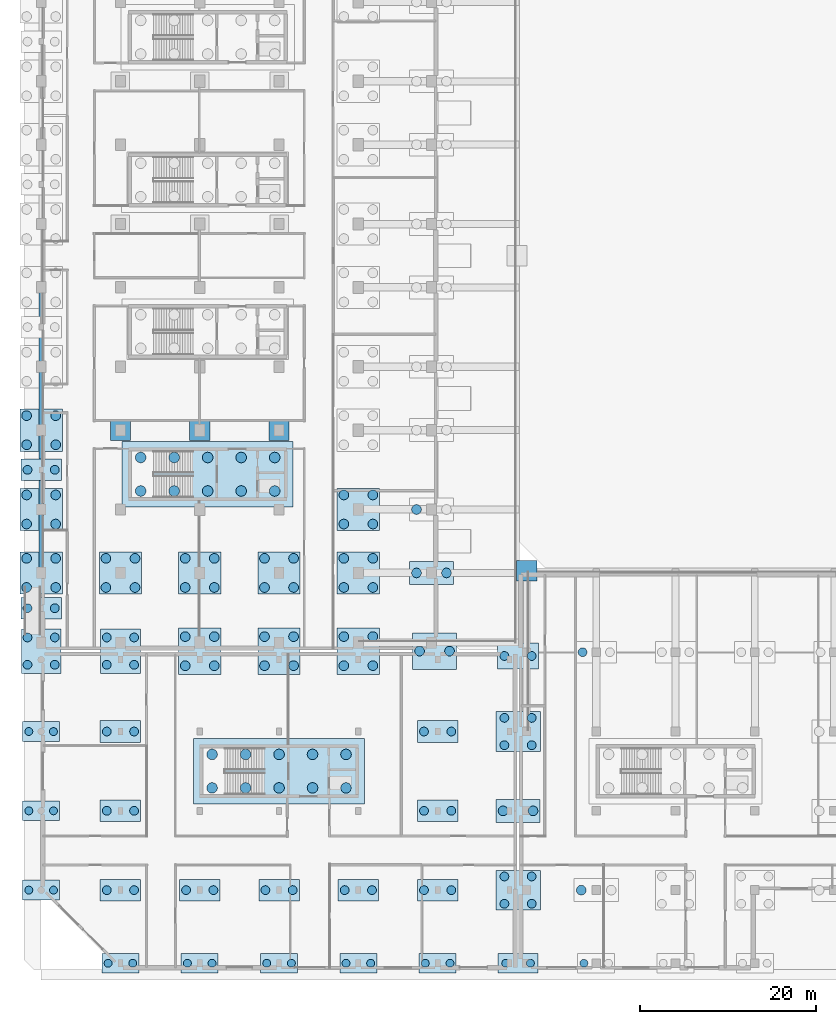
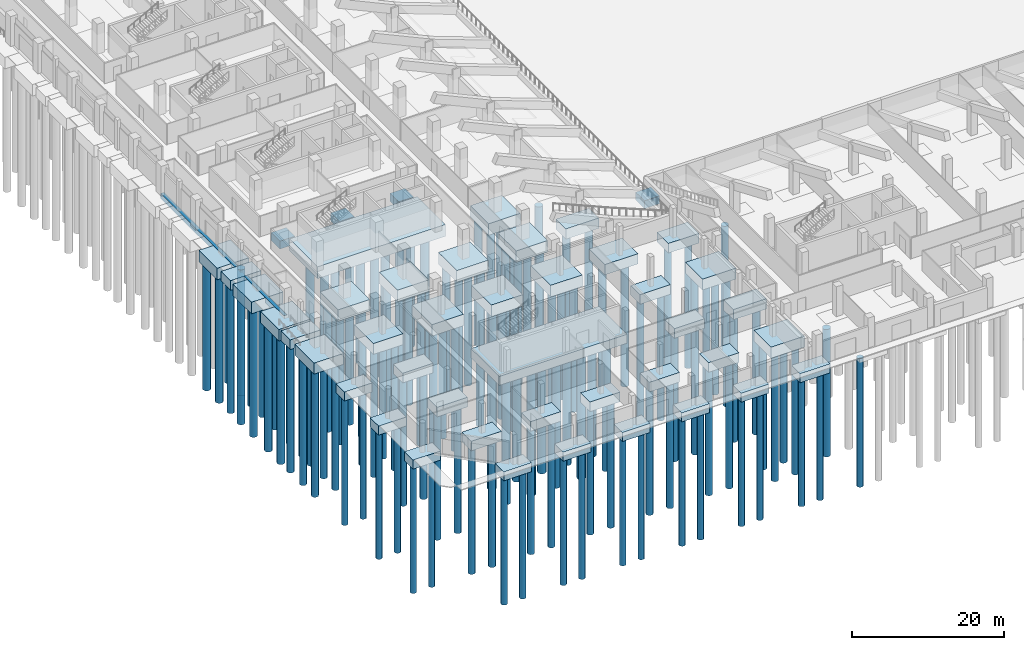
# One storey, part 1 of 53: 132 piles, 46 footings.
"""IFC4 building model written with IfcOpenShell, lengths in metres."""

from ifc_helpers import new_model, si_unit, direction, frame, origin, origin_2d, place, context, subcontext, project, spatial, rectangle, circle, extrude, material, layer, layer_set, material_profile, profile_set, type_object, element, save


model = new_model("IFC4")

# Units and contexts
model_context = context("Model", 3, precision=1e-05, world=origin(), true_north=direction((0.0, 1.0)))
body_context = subcontext(model_context, "Body", "Model", "MODEL_VIEW")
ifc_project = project(units=[si_unit("LENGTHUNIT", "METRE"), si_unit("AREAUNIT", "SQUARE_METRE"), si_unit("VOLUMEUNIT", "CUBIC_METRE"), si_unit("PLANEANGLEUNIT", "RADIAN"), si_unit("MASSUNIT", "GRAM", prefix="KILO"), si_unit("THERMODYNAMICTEMPERATUREUNIT", "KELVIN"), si_unit("POWERUNIT", "WATT")], contexts=[model_context])

# Site, building, storey
site_placement = place(None, origin())
site = spatial("IfcSite", under=ifc_project, at=site_placement, CompositionType="ELEMENT")
building_placement = place(site_placement, origin())
building = spatial("IfcBuilding", under=site, at=building_placement, Name="Sindhuravela Promenade Stadium", CompositionType="ELEMENT")
storey_placement = place(building_placement, origin())
storey = spatial("IfcBuildingStorey", under=building, at=storey_placement, Name="L00", CompositionType="ELEMENT", Elevation=0.0)

# Footings
ifc_material_1 = material(Name="Concrete M40", Category="concrete")
ifc_material_profile_1 = material_profile(ifc_material_1, rectangle(XDim=0.5, YDim=0.800048828125, at=origin_2d()), Name="RC 500x800")
ifc_profile_set_1 = profile_set([ifc_material_profile_1], Name="Concrete M40")
footing_type_1 = type_object("IfcFootingType", Name="FD-FB-500x800", PredefinedType="FOOTING_BEAM", material=ifc_profile_set_1)
footing_1_placement = place(storey_placement, frame((0.0, 45.0, -0.39990234375), z_axis=(0.0, 1.0, 0.0), x_axis=(-1.0, 0.0, 0.0)))
element("IfcFooting", 1, at=footing_1_placement, inside=storey, type_object=footing_type_1, Name="Ground tie beam FB-TIE-W1", PredefinedType="FOOTING_BEAM", context=body_context, shape_type="SweptSolid", body=[
    extrude(rectangle(XDim=0.5, YDim=0.800048828125, at=origin_2d()), origin(), (0.0, 0.0, 1.0), 32.39990234375),
])
ifc_material_2 = material(Name="Concrete M50", Category="concrete")
ifc_layer_1 = layer(ifc_material_2, 1.449951171875)
ifc_layer_set_1 = layer_set([ifc_layer_1], Name="Concrete M50")
footing_type_2 = type_object("IfcFootingType", Name="FD-PC-19400x7400x1450", PredefinedType="PILE_CAP", material=ifc_layer_set_1)
footing_2_placement = place(storey_placement, frame((27.0, 22.5, -1.4501953125), z_axis=(0.0, 0.0, 1.0), x_axis=(1.0, 0.0, 0.0)))
element("IfcFooting", 2, at=footing_2_placement, inside=storey, type_object=footing_type_2, Name="Core pile cap C13", PredefinedType="PILE_CAP", context=body_context, shape_type="SweptSolid", body=[
    extrude(rectangle(XDim=19.39990234375, YDim=7.39990234375, at=origin_2d()), origin(), (0.0, 0.0, 1.0), 1.449951171875),
])
ifc_layer_2 = layer(ifc_material_2, 1.89990234375)
ifc_layer_set_2 = layer_set([ifc_layer_2], Name="Concrete M50")
footing_type_3 = type_object("IfcFootingType", Name="FD-PC-19400x7400x1900", PredefinedType="PILE_CAP", material=ifc_layer_set_2)
footing_3_placement = place(storey_placement, frame((18.89990234375, 56.199951171875, -1.89990234375), z_axis=(0.0, 0.0, 1.0), x_axis=(1.0, 0.0, 0.0)))
element("IfcFooting", 3, at=footing_3_placement, inside=storey, type_object=footing_type_3, Name="Core pile cap C01", PredefinedType="PILE_CAP", context=body_context, shape_type="SweptSolid", body=[
    extrude(rectangle(XDim=19.39990234375, YDim=7.39990234375, at=origin_2d()), origin(), (0.0, 0.0, 1.0), 1.89990234375),
])
ifc_layer_3 = layer(ifc_material_2, 1.449951171875)
ifc_layer_set_3 = layer_set([ifc_layer_3], Name="Concrete M50")
footing_type_4 = type_object("IfcFootingType", Name="FD-PC-4200x2250x1450", PredefinedType="PILE_CAP", material=ifc_layer_set_3)
for number, where, z_axis, x_axis, name in (
    (4, (0.0, 9.0, -1.4501953125), (0.0, 0.0, 1.0), (1.0, 0.0, 0.0), "Pile cap PC30-0267"),
    (5, (0.0, 18.0, -1.4501953125), (0.0, 0.0, 1.0), (1.0, 0.0, 0.0), "Pile cap PC30-0268"),
    (6, (0.0, 27.0, -1.4501953125), (0.0, 0.0, 1.0), (1.0, 0.0, 0.0), "Pile cap PC30-0269"),
    (7, (9.0, 0.699951171875, -1.4501953125), (0.0, 0.0, 1.0), (1.0, 0.0, 0.0), "Pile cap PC30-0270"),
    (8, (18.0, 0.699951171875, -1.4501953125), (0.0, 0.0, 1.0), (1.0, 0.0, 0.0), "Pile cap PC30-0274"),
    (9, (27.0, 0.699951171875, -1.4501953125), (0.0, 0.0, 1.0), (1.0, 0.0, 0.0), "Pile cap PC30-0278"),
    (10, (36.0, 0.699951171875, -1.4501953125), (0.0, 0.0, 1.0), (1.0, 0.0, 0.0), "Pile cap PC30-0282"),
    (11, (45.0, 0.699951171875, -1.4501953125), (0.0, 0.0, 1.0), (1.0, 0.0, 0.0), "Pile cap PC30-0286"),
):
    element("IfcFooting", number, at=place(storey_placement, frame(where, z_axis=z_axis, x_axis=x_axis)), inside=storey, type_object=footing_type_4, Name=name, PredefinedType="PILE_CAP", context=body_context, shape_type="SweptSolid", body=[
        extrude(rectangle(XDim=4.199951171875, YDim=2.25, at=origin_2d()), origin(), (0.0, 0.0, 1.0), 1.449951171875),
    ])
ifc_layer_4 = layer(ifc_material_2, 1.75)
ifc_layer_set_4 = layer_set([ifc_layer_4], Name="Concrete M50")
footing_type_5 = type_object("IfcFootingType", Name="FD-PC-4500x5050x1750", PredefinedType="PILE_CAP", material=ifc_layer_set_4)
for number, where, z_axis, x_axis, name in (
    (12, (0.0, 36.125, -1.75), (0.0, 0.0, 1.0), (1.0, 0.0, 0.0), "Pile cap PC17-0001"),
    (13, (9.0, 36.125, -1.75), (0.0, 0.0, 1.0), (1.0, 0.0, 0.0), "Pile cap PC17-0013"),
):
    element("IfcFooting", number, at=place(storey_placement, frame(where, z_axis=z_axis, x_axis=x_axis)), inside=storey, type_object=footing_type_5, Name=name, PredefinedType="PILE_CAP", context=body_context, shape_type="SweptSolid", body=[
        extrude(rectangle(XDim=4.5, YDim=5.050048828125, at=origin_2d()), origin(), (0.0, 0.0, 1.0), 1.75),
    ])
ifc_layer_5 = layer(ifc_material_2, 1.449951171875)
ifc_layer_set_5 = layer_set([ifc_layer_5], Name="Concrete M50")
footing_type_6 = type_object("IfcFootingType", Name="FD-PC-4550x2250x1450", PredefinedType="PILE_CAP", material=ifc_layer_set_5)
footing_4_placement = place(storey_placement, frame((54.125, 0.699951171875, -1.4501953125), z_axis=(0.0, 0.0, 1.0), x_axis=(1.0, 0.0, 0.0)))
element("IfcFooting", 14, at=footing_4_placement, inside=storey, type_object=footing_type_6, Name="Pile cap PC29-0207", PredefinedType="PILE_CAP", context=body_context, shape_type="SweptSolid", body=[
    extrude(rectangle(XDim=4.550048828125, YDim=2.25, at=origin_2d()), origin(), (0.0, 0.0, 1.0), 1.449951171875),
])
ifc_layer_6 = layer(ifc_material_2, 1.550048828125)
ifc_layer_set_6 = layer_set([ifc_layer_6], Name="Concrete M50")
footing_type_7 = type_object("IfcFootingType", Name="FD-PC-4600x2450x1550", PredefinedType="PILE_CAP", material=ifc_layer_set_6)
for number, where, z_axis, x_axis, name in (
    (15, (9.0, 9.0, -1.5498046875), (0.0, 0.0, 1.0), (1.0, 0.0, 0.0), "Pile cap PC25-0271"),
    (16, (9.0, 18.0, -1.5498046875), (0.0, 0.0, 1.0), (1.0, 0.0, 0.0), "Pile cap PC25-0272"),
    (17, (9.0, 27.0, -1.5498046875), (0.0, 0.0, 1.0), (1.0, 0.0, 0.0), "Pile cap PC25-0273"),
    (18, (18.0, 9.0, -1.5498046875), (0.0, 0.0, 1.0), (1.0, 0.0, 0.0), "Pile cap PC25-0275"),
    (19, (27.0, 9.0, -1.5498046875), (0.0, 0.0, 1.0), (1.0, 0.0, 0.0), "Pile cap PC25-0279"),
    (20, (36.0, 9.0, -1.5498046875), (0.0, 0.0, 1.0), (1.0, 0.0, 0.0), "Pile cap PC25-0283"),
    (21, (45.0, 9.0, -1.5498046875), (0.0, 0.0, 1.0), (1.0, 0.0, 0.0), "Pile cap PC25-0287"),
    (22, (45.0, 18.0, -1.5498046875), (0.0, 0.0, 1.0), (1.0, 0.0, 0.0), "Pile cap PC25-0288"),
    (23, (45.0, 27.0, -1.5498046875), (0.0, 0.0, 1.0), (1.0, 0.0, 0.0), "Pile cap PC25-0289"),
    (24, (0.0, 41.0, -1.5498046875), (0.0, 0.0, 1.0), (1.0, 0.0, 0.0), "Pile cap PC25-0359"),
    (25, (0.0, 56.699951171875, -1.5498046875), (0.0, 0.0, 1.0), (1.0, 0.0, 0.0), "Pile cap PC25-0361"),
):
    element("IfcFooting", number, at=place(storey_placement, frame(where, z_axis=z_axis, x_axis=x_axis)), inside=storey, type_object=footing_type_7, Name=name, PredefinedType="PILE_CAP", context=body_context, shape_type="SweptSolid", body=[
        extrude(rectangle(XDim=4.60009765625, YDim=2.449951171875, at=origin_2d()), origin(), (0.0, 0.0, 1.0), 1.550048828125),
    ])
ifc_layer_7 = layer(ifc_material_2, 1.550048828125)
ifc_layer_set_7 = layer_set([ifc_layer_7], Name="Concrete M50")
footing_type_8 = type_object("IfcFootingType", Name="FD-PC-4650x3000x1550", PredefinedType="PILE_CAP", material=ifc_layer_set_7)
footing_5_placement = place(storey_placement, frame((54.125, 35.574951171875, -1.5498046875), z_axis=(0.0, 0.0, 1.0), x_axis=(1.0, 0.0, 0.0)))
element("IfcFooting", 26, at=footing_5_placement, inside=storey, type_object=footing_type_8, Name="Pile cap PC27-0211", PredefinedType="PILE_CAP", context=body_context, shape_type="SweptSolid", body=[
    extrude(rectangle(XDim=4.64990234375, YDim=3.0, at=origin_2d()), origin(), (0.0, 0.0, 1.0), 1.550048828125),
])
ifc_layer_8 = layer(ifc_material_2, 1.85009765625)
ifc_layer_set_8 = layer_set([ifc_layer_8], Name="Concrete M50")
footing_type_9 = type_object("IfcFootingType", Name="FD-PC-4800x4800x1850", PredefinedType="PILE_CAP", material=ifc_layer_set_8)
for number, where, z_axis, x_axis, name in (
    (27, (0.0, 45.0, -1.85009765625), (0.0, 0.0, 1.0), (1.0, 0.0, 0.0), "Pile cap PC18-0002"),
    (28, (0.0, 52.199951171875, -1.85009765625), (0.0, 0.0, 1.0), (1.0, 0.0, 0.0), "Pile cap PC18-0003"),
    (29, (0.0, 61.199951171875, -1.85009765625), (0.0, 0.0, 1.0), (1.0, 0.0, 0.0), "Pile cap PC18-0004"),
    (30, (9.0, 45.0, -1.85009765625), (0.0, 0.0, 1.0), (1.0, 0.0, 0.0), "Pile cap PC18-0014"),
    (31, (18.0, 45.0, -1.85009765625), (0.0, 0.0, 1.0), (1.0, 0.0, 0.0), "Pile cap PC18-0026"),
    (32, (27.0, 45.0, -1.85009765625), (0.0, 0.0, 1.0), (1.0, 0.0, 0.0), "Pile cap PC18-0038"),
    (33, (36.0, 45.0, -1.85009765625), (0.0, 0.0, 1.0), (1.0, 0.0, 0.0), "Pile cap PC18-0050"),
    (34, (36.0, 52.199951171875, -1.85009765625), (0.0, 0.0, 1.0), (1.0, 0.0, 0.0), "Pile cap PC18-0051"),
):
    element("IfcFooting", number, at=place(storey_placement, frame(where, z_axis=z_axis, x_axis=x_axis)), inside=storey, type_object=footing_type_9, Name=name, PredefinedType="PILE_CAP", context=body_context, shape_type="SweptSolid", body=[
        extrude(rectangle(XDim=4.800048828125, YDim=4.800048828125, at=origin_2d()), origin(), (0.0, 0.0, 1.0), 1.85009765625),
    ])
ifc_layer_9 = layer(ifc_material_2, 1.85009765625)
ifc_layer_set_9 = layer_set([ifc_layer_9], Name="Concrete M50")
footing_type_10 = type_object("IfcFootingType", Name="FD-PC-4800x5250x1850", PredefinedType="PILE_CAP", material=ifc_layer_set_9)
for number, where, z_axis, x_axis, name in (
    (35, (18.0, 36.125, -1.85009765625), (0.0, 0.0, 1.0), (1.0, 0.0, 0.0), "Pile cap PC21-0025"),
    (36, (27.0, 36.125, -1.85009765625), (0.0, 0.0, 1.0), (1.0, 0.0, 0.0), "Pile cap PC21-0037"),
    (37, (36.0, 36.125, -1.85009765625), (0.0, 0.0, 1.0), (1.0, 0.0, 0.0), "Pile cap PC21-0049"),
):
    element("IfcFooting", number, at=place(storey_placement, frame(where, z_axis=z_axis, x_axis=x_axis)), inside=storey, type_object=footing_type_10, Name=name, PredefinedType="PILE_CAP", context=body_context, shape_type="SweptSolid", body=[
        extrude(rectangle(XDim=4.800048828125, YDim=5.25, at=origin_2d()), origin(), (0.0, 0.0, 1.0), 1.85009765625),
    ])
ifc_layer_10 = layer(ifc_material_2, 1.64990234375)
ifc_layer_set_10 = layer_set([ifc_layer_10], Name="Concrete M50")
footing_type_11 = type_object("IfcFootingType", Name="FD-PC-5000x2600x1650", PredefinedType="PILE_CAP", material=ifc_layer_set_10)
for number, where, z_axis, x_axis, name in (
    (38, (44.300048828125, 45.0, -1.64990234375), (0.0, 0.0, 1.0), (1.0, 0.0, 0.0), "Pile cap PC23-0062"),
    (39, (54.125, 18.0, -1.64990234375), (0.0, 0.0, 1.0), (1.0, 0.0, 0.0), "Pile cap PC23-0209"),
):
    element("IfcFooting", number, at=place(storey_placement, frame(where, z_axis=z_axis, x_axis=x_axis)), inside=storey, type_object=footing_type_11, Name=name, PredefinedType="PILE_CAP", context=body_context, shape_type="SweptSolid", body=[
        extrude(rectangle(XDim=5.0, YDim=2.60009765625, at=origin_2d()), origin(), (0.0, 0.0, 1.0), 1.64990234375),
    ])
ifc_layer_11 = layer(ifc_material_2, 1.64990234375)
ifc_layer_set_11 = layer_set([ifc_layer_11], Name="Concrete M50")
footing_type_12 = type_object("IfcFootingType", Name="FD-PC-5000x4150x1650", PredefinedType="PILE_CAP", material=ifc_layer_set_11)
footing_6_placement = place(storey_placement, frame((44.64990234375, 36.125, -1.64990234375), z_axis=(0.0, 0.0, 1.0), x_axis=(1.0, 0.0, 0.0)))
element("IfcFooting", 40, at=footing_6_placement, inside=storey, type_object=footing_type_12, Name="Pile cap PC22-0061", PredefinedType="PILE_CAP", context=body_context, shape_type="SweptSolid", body=[
    extrude(rectangle(XDim=5.0, YDim=4.14990234375, at=origin_2d()), origin(), (0.0, 0.0, 1.0), 1.64990234375),
])
ifc_layer_12 = layer(ifc_material_2, 1.75)
ifc_layer_set_12 = layer_set([ifc_layer_12], Name="Concrete M50")
footing_type_13 = type_object("IfcFootingType", Name="FD-PC-5050x4500x1750", PredefinedType="PILE_CAP", material=ifc_layer_set_12)
for number, where, z_axis, x_axis, name in (
    (41, (54.125, 9.0, -1.75), (0.0, 0.0, 1.0), (1.0, 0.0, 0.0), "Pile cap PC28-0208"),
    (42, (54.125, 27.0, -1.75), (0.0, 0.0, 1.0), (1.0, 0.0, 0.0), "Pile cap PC28-0210"),
):
    element("IfcFooting", number, at=place(storey_placement, frame(where, z_axis=z_axis, x_axis=x_axis)), inside=storey, type_object=footing_type_13, Name=name, PredefinedType="PILE_CAP", context=body_context, shape_type="SweptSolid", body=[
        extrude(rectangle(XDim=5.050048828125, YDim=4.5, at=origin_2d()), origin(), (0.0, 0.0, 1.0), 1.75),
    ])
ifc_layer_13 = layer(ifc_material_2, 1.25)
ifc_layer_set_13 = layer_set([ifc_layer_13], Name="Concrete M50")
footing_type_14 = type_object("IfcFootingType", Name="FD-PF-2300x2300x1250", PredefinedType="PAD_FOOTING", material=ifc_layer_set_13)
for number, where, z_axis, x_axis, name in (
    (43, (9.0, 61.199951171875, -1.25), (0.0, 0.0, 1.0), (1.0, 0.0, 0.0), "Pad footing PF19-0016"),
    (44, (18.0, 61.199951171875, -1.25), (0.0, 0.0, 1.0), (1.0, 0.0, 0.0), "Pad footing PF19-0028"),
    (45, (27.0, 61.199951171875, -1.25), (0.0, 0.0, 1.0), (1.0, 0.0, 0.0), "Pad footing PF19-0040"),
    (46, (55.10009765625, 45.25, -1.25), (0.0, 0.0, 1.0), (1.0, 0.0, 0.0), "Bowl plinth pad footing 7"),
):
    element("IfcFooting", number, at=place(storey_placement, frame(where, z_axis=z_axis, x_axis=x_axis)), inside=storey, type_object=footing_type_14, Name=name, PredefinedType="PAD_FOOTING", context=body_context, shape_type="SweptSolid", body=[
        extrude(rectangle(XDim=2.300048828125, YDim=2.300048828125, at=origin_2d()), origin(), (0.0, 0.0, 1.0), 1.25),
    ])

# Piles
ifc_material_profile_2 = material_profile(ifc_material_1, circle(Radius=0.5, at=origin_2d()), Name="BORED PILE D1000")
ifc_profile_set_2 = profile_set([ifc_material_profile_2], Name="Concrete M40")
pile_type_1 = type_object("IfcPileType", Name="FD-PL-1000", PredefinedType="BORED", material=ifc_profile_set_2)
for number, where, z_axis, x_axis, name in (
    (47, (-1.550048828125, 34.574951171875, -1.64990234375), (0.0, 0.0, -1.0), (1.0, 0.0, 0.0), "Bored pile P1000-0161"),
    (48, (1.550048828125, 34.574951171875, -1.64990234375), (0.0, 0.0, -1.0), (1.0, 0.0, 0.0), "Bored pile P1000-0162"),
    (49, (-1.550048828125, 37.675048828125, -1.64990234375), (0.0, 0.0, -1.0), (1.0, 0.0, 0.0), "Bored pile P1000-0163"),
    (50, (1.550048828125, 37.675048828125, -1.64990234375), (0.0, 0.0, -1.0), (1.0, 0.0, 0.0), "Bored pile P1000-0164"),
    (51, (7.449951171875, 34.574951171875, -1.64990234375), (0.0, 0.0, -1.0), (1.0, 0.0, 0.0), "Bored pile P1000-0209"),
    (52, (10.550048828125, 34.574951171875, -1.64990234375), (0.0, 0.0, -1.0), (1.0, 0.0, 0.0), "Bored pile P1000-0210"),
    (53, (7.449951171875, 37.675048828125, -1.64990234375), (0.0, 0.0, -1.0), (1.0, 0.0, 0.0), "Bored pile P1000-0211"),
    (54, (10.550048828125, 37.675048828125, -1.64990234375), (0.0, 0.0, -1.0), (1.0, 0.0, 0.0), "Bored pile P1000-0212"),
    (55, (52.574951171875, 7.449951171875, -1.64990234375), (0.0, 0.0, -1.0), (1.0, 0.0, 0.0), "Bored pile P1000-0599"),
    (56, (55.675048828125, 7.449951171875, -1.64990234375), (0.0, 0.0, -1.0), (1.0, 0.0, 0.0), "Bored pile P1000-0600"),
    (57, (52.574951171875, 10.550048828125, -1.64990234375), (0.0, 0.0, -1.0), (1.0, 0.0, 0.0), "Bored pile P1000-0601"),
    (58, (55.675048828125, 10.550048828125, -1.64990234375), (0.0, 0.0, -1.0), (1.0, 0.0, 0.0), "Bored pile P1000-0602"),
    (59, (52.574951171875, 25.449951171875, -1.64990234375), (0.0, 0.0, -1.0), (1.0, 0.0, 0.0), "Bored pile P1000-0605"),
    (60, (55.675048828125, 25.449951171875, -1.64990234375), (0.0, 0.0, -1.0), (1.0, 0.0, 0.0), "Bored pile P1000-0606"),
    (61, (52.574951171875, 28.550048828125, -1.64990234375), (0.0, 0.0, -1.0), (1.0, 0.0, 0.0), "Bored pile P1000-0607"),
    (62, (55.675048828125, 28.550048828125, -1.64990234375), (0.0, 0.0, -1.0), (1.0, 0.0, 0.0), "Bored pile P1000-0608"),
):
    element("IfcPile", number, at=place(storey_placement, frame(where, z_axis=z_axis, x_axis=x_axis)), inside=storey, type_object=pile_type_1, Name=name, PredefinedType="BORED", context=body_context, shape_type="SweptSolid", body=[
        extrude(circle(Radius=0.5, at=origin_2d()), origin(), (0.0, 0.0, 1.0), 20.35009765625),
    ])
for number, where, z_axis, x_axis, name in (
    (63, (52.574951171875, 35.574951171875, -1.449951171875), (0.0, 0.0, -1.0), (1.0, 0.0, 0.0), "Bored pile P1000-0609"),
    (64, (55.675048828125, 35.574951171875, -1.449951171875), (0.0, 0.0, -1.0), (1.0, 0.0, 0.0), "Bored pile P1000-0610"),
    (65, (61.449951171875, 36.0, -1.449951171875), (0.0, 0.0, -1.0), (1.0, 0.0, 0.0), "Bored pile P1000-0615"),
    (66, (7.449951171875, 9.0, -1.449951171875), (0.0, 0.0, -1.0), (1.0, 0.0, 0.0), "Bored pile P1000-0729"),
    (67, (10.550048828125, 9.0, -1.449951171875), (0.0, 0.0, -1.0), (1.0, 0.0, 0.0), "Bored pile P1000-0730"),
    (68, (7.449951171875, 18.0, -1.449951171875), (0.0, 0.0, -1.0), (1.0, 0.0, 0.0), "Bored pile P1000-0731"),
    (69, (10.550048828125, 18.0, -1.449951171875), (0.0, 0.0, -1.0), (1.0, 0.0, 0.0), "Bored pile P1000-0732"),
    (70, (7.449951171875, 27.0, -1.449951171875), (0.0, 0.0, -1.0), (1.0, 0.0, 0.0), "Bored pile P1000-0733"),
    (71, (10.550048828125, 27.0, -1.449951171875), (0.0, 0.0, -1.0), (1.0, 0.0, 0.0), "Bored pile P1000-0734"),
    (72, (16.449951171875, 9.0, -1.449951171875), (0.0, 0.0, -1.0), (1.0, 0.0, 0.0), "Bored pile P1000-0737"),
    (73, (19.550048828125, 9.0, -1.449951171875), (0.0, 0.0, -1.0), (1.0, 0.0, 0.0), "Bored pile P1000-0738"),
    (74, (25.449951171875, 9.0, -1.449951171875), (0.0, 0.0, -1.0), (1.0, 0.0, 0.0), "Bored pile P1000-0741"),
    (75, (28.550048828125, 9.0, -1.449951171875), (0.0, 0.0, -1.0), (1.0, 0.0, 0.0), "Bored pile P1000-0742"),
    (76, (34.449951171875, 9.0, -1.449951171875), (0.0, 0.0, -1.0), (1.0, 0.0, 0.0), "Bored pile P1000-0745"),
    (77, (37.550048828125, 9.0, -1.449951171875), (0.0, 0.0, -1.0), (1.0, 0.0, 0.0), "Bored pile P1000-0746"),
    (78, (43.449951171875, 9.0, -1.449951171875), (0.0, 0.0, -1.0), (1.0, 0.0, 0.0), "Bored pile P1000-0749"),
    (79, (46.550048828125, 9.0, -1.449951171875), (0.0, 0.0, -1.0), (1.0, 0.0, 0.0), "Bored pile P1000-0750"),
    (80, (43.449951171875, 18.0, -1.449951171875), (0.0, 0.0, -1.0), (1.0, 0.0, 0.0), "Bored pile P1000-0751"),
    (81, (46.550048828125, 18.0, -1.449951171875), (0.0, 0.0, -1.0), (1.0, 0.0, 0.0), "Bored pile P1000-0752"),
    (82, (43.449951171875, 27.0, -1.449951171875), (0.0, 0.0, -1.0), (1.0, 0.0, 0.0), "Bored pile P1000-0753"),
    (83, (46.550048828125, 27.0, -1.449951171875), (0.0, 0.0, -1.0), (1.0, 0.0, 0.0), "Bored pile P1000-0754"),
    (84, (-1.550048828125, 41.0, -1.449951171875), (0.0, 0.0, -1.0), (1.0, 0.0, 0.0), "Bored pile P1000-0857"),
    (85, (1.550048828125, 41.0, -1.449951171875), (0.0, 0.0, -1.0), (1.0, 0.0, 0.0), "Bored pile P1000-0858"),
    (86, (-1.550048828125, 56.699951171875, -1.449951171875), (0.0, 0.0, -1.0), (1.0, 0.0, 0.0), "Bored pile P1000-0861"),
    (87, (1.550048828125, 56.699951171875, -1.449951171875), (0.0, 0.0, -1.0), (1.0, 0.0, 0.0), "Bored pile P1000-0862"),
):
    element("IfcPile", number, at=place(storey_placement, frame(where, z_axis=z_axis, x_axis=x_axis)), inside=storey, type_object=pile_type_1, Name=name, PredefinedType="BORED", context=body_context, shape_type="SweptSolid", body=[
        extrude(circle(Radius=0.5, at=origin_2d()), origin(), (0.0, 0.0, 1.0), 20.550048828125),
    ])
ifc_material_profile_3 = material_profile(ifc_material_1, circle(Radius=0.550048828125, at=origin_2d()), Name="BORED PILE D1100")
ifc_profile_set_3 = profile_set([ifc_material_profile_3], Name="Concrete M40")
pile_type_2 = type_object("IfcPileType", Name="FD-PL-1100", PredefinedType="BORED", material=ifc_profile_set_3)
for number, where, z_axis, x_axis, name in (
    (88, (-1.64990234375, 43.35009765625, -1.75), (0.0, 0.0, -1.0), (1.0, 0.0, 0.0), "Bored pile P1100-0165"),
    (89, (1.64990234375, 43.35009765625, -1.75), (0.0, 0.0, -1.0), (1.0, 0.0, 0.0), "Bored pile P1100-0166"),
    (90, (-1.64990234375, 46.64990234375, -1.75), (0.0, 0.0, -1.0), (1.0, 0.0, 0.0), "Bored pile P1100-0167"),
    (91, (1.64990234375, 46.64990234375, -1.75), (0.0, 0.0, -1.0), (1.0, 0.0, 0.0), "Bored pile P1100-0168"),
    (92, (-1.64990234375, 50.550048828125, -1.75), (0.0, 0.0, -1.0), (1.0, 0.0, 0.0), "Bored pile P1100-0169"),
    (93, (1.64990234375, 50.550048828125, -1.75), (0.0, 0.0, -1.0), (1.0, 0.0, 0.0), "Bored pile P1100-0170"),
    (94, (-1.64990234375, 53.85009765625, -1.75), (0.0, 0.0, -1.0), (1.0, 0.0, 0.0), "Bored pile P1100-0171"),
    (95, (1.64990234375, 53.85009765625, -1.75), (0.0, 0.0, -1.0), (1.0, 0.0, 0.0), "Bored pile P1100-0172"),
    (96, (-1.64990234375, 59.550048828125, -1.75), (0.0, 0.0, -1.0), (1.0, 0.0, 0.0), "Bored pile P1100-0173"),
    (97, (1.64990234375, 59.550048828125, -1.75), (0.0, 0.0, -1.0), (1.0, 0.0, 0.0), "Bored pile P1100-0174"),
    (98, (-1.64990234375, 62.85009765625, -1.75), (0.0, 0.0, -1.0), (1.0, 0.0, 0.0), "Bored pile P1100-0175"),
    (99, (1.64990234375, 62.85009765625, -1.75), (0.0, 0.0, -1.0), (1.0, 0.0, 0.0), "Bored pile P1100-0176"),
    (100, (7.35009765625, 43.35009765625, -1.75), (0.0, 0.0, -1.0), (1.0, 0.0, 0.0), "Bored pile P1100-0213"),
    (101, (10.64990234375, 43.35009765625, -1.75), (0.0, 0.0, -1.0), (1.0, 0.0, 0.0), "Bored pile P1100-0214"),
    (102, (7.35009765625, 46.64990234375, -1.75), (0.0, 0.0, -1.0), (1.0, 0.0, 0.0), "Bored pile P1100-0215"),
    (103, (10.64990234375, 46.64990234375, -1.75), (0.0, 0.0, -1.0), (1.0, 0.0, 0.0), "Bored pile P1100-0216"),
    (104, (16.35009765625, 34.47509765625, -1.75), (0.0, 0.0, -1.0), (1.0, 0.0, 0.0), "Bored pile P1100-0225"),
    (105, (19.64990234375, 34.47509765625, -1.75), (0.0, 0.0, -1.0), (1.0, 0.0, 0.0), "Bored pile P1100-0226"),
    (106, (16.35009765625, 37.77490234375, -1.75), (0.0, 0.0, -1.0), (1.0, 0.0, 0.0), "Bored pile P1100-0227"),
    (107, (19.64990234375, 37.77490234375, -1.75), (0.0, 0.0, -1.0), (1.0, 0.0, 0.0), "Bored pile P1100-0228"),
    (108, (16.35009765625, 43.35009765625, -1.75), (0.0, 0.0, -1.0), (1.0, 0.0, 0.0), "Bored pile P1100-0229"),
    (109, (19.64990234375, 43.35009765625, -1.75), (0.0, 0.0, -1.0), (1.0, 0.0, 0.0), "Bored pile P1100-0230"),
    (110, (16.35009765625, 46.64990234375, -1.75), (0.0, 0.0, -1.0), (1.0, 0.0, 0.0), "Bored pile P1100-0231"),
    (111, (19.64990234375, 46.64990234375, -1.75), (0.0, 0.0, -1.0), (1.0, 0.0, 0.0), "Bored pile P1100-0232"),
    (112, (25.35009765625, 34.47509765625, -1.75), (0.0, 0.0, -1.0), (1.0, 0.0, 0.0), "Bored pile P1100-0241"),
    (113, (28.64990234375, 34.47509765625, -1.75), (0.0, 0.0, -1.0), (1.0, 0.0, 0.0), "Bored pile P1100-0242"),
    (114, (25.35009765625, 37.77490234375, -1.75), (0.0, 0.0, -1.0), (1.0, 0.0, 0.0), "Bored pile P1100-0243"),
    (115, (28.64990234375, 37.77490234375, -1.75), (0.0, 0.0, -1.0), (1.0, 0.0, 0.0), "Bored pile P1100-0244"),
    (116, (25.35009765625, 43.35009765625, -1.75), (0.0, 0.0, -1.0), (1.0, 0.0, 0.0), "Bored pile P1100-0245"),
    (117, (28.64990234375, 43.35009765625, -1.75), (0.0, 0.0, -1.0), (1.0, 0.0, 0.0), "Bored pile P1100-0246"),
    (118, (25.35009765625, 46.64990234375, -1.75), (0.0, 0.0, -1.0), (1.0, 0.0, 0.0), "Bored pile P1100-0247"),
    (119, (28.64990234375, 46.64990234375, -1.75), (0.0, 0.0, -1.0), (1.0, 0.0, 0.0), "Bored pile P1100-0248"),
    (120, (34.35009765625, 34.47509765625, -1.75), (0.0, 0.0, -1.0), (1.0, 0.0, 0.0), "Bored pile P1100-0257"),
    (121, (37.64990234375, 34.47509765625, -1.75), (0.0, 0.0, -1.0), (1.0, 0.0, 0.0), "Bored pile P1100-0258"),
    (122, (34.35009765625, 37.77490234375, -1.75), (0.0, 0.0, -1.0), (1.0, 0.0, 0.0), "Bored pile P1100-0259"),
    (123, (37.64990234375, 37.77490234375, -1.75), (0.0, 0.0, -1.0), (1.0, 0.0, 0.0), "Bored pile P1100-0260"),
    (124, (34.35009765625, 43.35009765625, -1.75), (0.0, 0.0, -1.0), (1.0, 0.0, 0.0), "Bored pile P1100-0261"),
    (125, (37.64990234375, 43.35009765625, -1.75), (0.0, 0.0, -1.0), (1.0, 0.0, 0.0), "Bored pile P1100-0262"),
    (126, (34.35009765625, 46.64990234375, -1.75), (0.0, 0.0, -1.0), (1.0, 0.0, 0.0), "Bored pile P1100-0263"),
    (127, (37.64990234375, 46.64990234375, -1.75), (0.0, 0.0, -1.0), (1.0, 0.0, 0.0), "Bored pile P1100-0264"),
    (128, (34.35009765625, 50.550048828125, -1.75), (0.0, 0.0, -1.0), (1.0, 0.0, 0.0), "Bored pile P1100-0265"),
    (129, (37.64990234375, 50.550048828125, -1.75), (0.0, 0.0, -1.0), (1.0, 0.0, 0.0), "Bored pile P1100-0266"),
    (130, (34.35009765625, 53.85009765625, -1.75), (0.0, 0.0, -1.0), (1.0, 0.0, 0.0), "Bored pile P1100-0267"),
    (131, (37.64990234375, 53.85009765625, -1.75), (0.0, 0.0, -1.0), (1.0, 0.0, 0.0), "Bored pile P1100-0268"),
):
    element("IfcPile", number, at=place(storey_placement, frame(where, z_axis=z_axis, x_axis=x_axis)), inside=storey, type_object=pile_type_2, Name=name, PredefinedType="BORED", context=body_context, shape_type="SweptSolid", body=[
        extrude(circle(Radius=0.550048828125, at=origin_2d()), origin(), (0.0, 0.0, 1.0), 20.25),
    ])
for number, where, z_axis, x_axis, name in (
    (132, (42.949951171875, 36.125, -1.550048828125), (0.0, 0.0, -1.0), (1.0, 0.0, 0.0), "Bored pile P1100-0305"),
    (133, (46.35009765625, 36.125, -1.550048828125), (0.0, 0.0, -1.0), (1.0, 0.0, 0.0), "Bored pile P1100-0306"),
    (134, (42.60009765625, 45.0, -1.550048828125), (0.0, 0.0, -1.0), (1.0, 0.0, 0.0), "Bored pile P1100-0307"),
    (135, (46.0, 45.0, -1.550048828125), (0.0, 0.0, -1.0), (1.0, 0.0, 0.0), "Bored pile P1100-0308"),
    (136, (42.60009765625, 52.199951171875, -1.550048828125), (0.0, 0.0, -1.0), (1.0, 0.0, 0.0), "Bored pile P1100-0309"),
    (137, (52.425048828125, 18.0, -1.550048828125), (0.0, 0.0, -1.0), (1.0, 0.0, 0.0), "Bored pile P1100-0603"),
    (138, (55.824951171875, 18.0, -1.550048828125), (0.0, 0.0, -1.0), (1.0, 0.0, 0.0), "Bored pile P1100-0604"),
    (139, (61.300048828125, 9.0, -1.550048828125), (0.0, 0.0, -1.0), (1.0, 0.0, 0.0), "Bored pile P1100-0613"),
):
    element("IfcPile", number, at=place(storey_placement, frame(where, z_axis=z_axis, x_axis=x_axis)), inside=storey, type_object=pile_type_2, Name=name, PredefinedType="BORED", context=body_context, shape_type="SweptSolid", body=[
        extrude(circle(Radius=0.550048828125, at=origin_2d()), origin(), (0.0, 0.0, 1.0), 20.449951171875),
    ])
ifc_material_profile_4 = material_profile(ifc_material_1, circle(Radius=0.60009765625, at=origin_2d()), Name="BORED PILE D1200")
ifc_profile_set_4 = profile_set([ifc_material_profile_4], Name="Concrete M40")
pile_type_3 = type_object("IfcPileType", Name="FD-PL-1200", PredefinedType="BORED", material=ifc_profile_set_4)
for number, where, z_axis, x_axis, name in (
    (140, (11.300048828125, 54.300048828125, -1.800048828125), (0.0, 0.0, -1.0), (1.0, 0.0, 0.0), "Bored pile P1200-0001"),
    (141, (11.300048828125, 58.10009765625, -1.800048828125), (0.0, 0.0, -1.0), (1.0, 0.0, 0.0), "Bored pile P1200-0002"),
    (142, (15.10009765625, 54.300048828125, -1.800048828125), (0.0, 0.0, -1.0), (1.0, 0.0, 0.0), "Bored pile P1200-0003"),
    (143, (15.10009765625, 58.10009765625, -1.800048828125), (0.0, 0.0, -1.0), (1.0, 0.0, 0.0), "Bored pile P1200-0004"),
    (144, (18.89990234375, 54.300048828125, -1.800048828125), (0.0, 0.0, -1.0), (1.0, 0.0, 0.0), "Bored pile P1200-0005"),
    (145, (18.89990234375, 58.10009765625, -1.800048828125), (0.0, 0.0, -1.0), (1.0, 0.0, 0.0), "Bored pile P1200-0006"),
    (146, (22.699951171875, 54.300048828125, -1.800048828125), (0.0, 0.0, -1.0), (1.0, 0.0, 0.0), "Bored pile P1200-0007"),
    (147, (22.699951171875, 58.10009765625, -1.800048828125), (0.0, 0.0, -1.0), (1.0, 0.0, 0.0), "Bored pile P1200-0008"),
    (148, (26.5, 54.300048828125, -1.800048828125), (0.0, 0.0, -1.0), (1.0, 0.0, 0.0), "Bored pile P1200-0009"),
    (149, (26.5, 58.10009765625, -1.800048828125), (0.0, 0.0, -1.0), (1.0, 0.0, 0.0), "Bored pile P1200-0010"),
):
    element("IfcPile", number, at=place(storey_placement, frame(where, z_axis=z_axis, x_axis=x_axis)), inside=storey, type_object=pile_type_3, Name=name, PredefinedType="BORED", context=body_context, shape_type="SweptSolid", body=[
        extrude(circle(Radius=0.60009765625, at=origin_2d()), origin(), (0.0, 0.0, 1.0), 20.199951171875),
    ])
for number, where, z_axis, x_axis, name in (
    (150, (19.39990234375, 20.60009765625, -1.35009765625), (0.0, 0.0, -1.0), (1.0, 0.0, 0.0), "Bored pile P1200-0121"),
    (151, (19.39990234375, 24.39990234375, -1.35009765625), (0.0, 0.0, -1.0), (1.0, 0.0, 0.0), "Bored pile P1200-0122"),
    (152, (23.199951171875, 20.60009765625, -1.35009765625), (0.0, 0.0, -1.0), (1.0, 0.0, 0.0), "Bored pile P1200-0123"),
    (153, (23.199951171875, 24.39990234375, -1.35009765625), (0.0, 0.0, -1.0), (1.0, 0.0, 0.0), "Bored pile P1200-0124"),
    (154, (27.0, 20.60009765625, -1.35009765625), (0.0, 0.0, -1.0), (1.0, 0.0, 0.0), "Bored pile P1200-0125"),
    (155, (27.0, 24.39990234375, -1.35009765625), (0.0, 0.0, -1.0), (1.0, 0.0, 0.0), "Bored pile P1200-0126"),
    (156, (30.800048828125, 20.60009765625, -1.35009765625), (0.0, 0.0, -1.0), (1.0, 0.0, 0.0), "Bored pile P1200-0127"),
    (157, (30.800048828125, 24.39990234375, -1.35009765625), (0.0, 0.0, -1.0), (1.0, 0.0, 0.0), "Bored pile P1200-0128"),
    (158, (34.60009765625, 20.60009765625, -1.35009765625), (0.0, 0.0, -1.0), (1.0, 0.0, 0.0), "Bored pile P1200-0129"),
    (159, (34.60009765625, 24.39990234375, -1.35009765625), (0.0, 0.0, -1.0), (1.0, 0.0, 0.0), "Bored pile P1200-0130"),
):
    element("IfcPile", number, at=place(storey_placement, frame(where, z_axis=z_axis, x_axis=x_axis)), inside=storey, type_object=pile_type_3, Name=name, PredefinedType="BORED", context=body_context, shape_type="SweptSolid", body=[
        extrude(circle(Radius=0.60009765625, at=origin_2d()), origin(), (0.0, 0.0, 1.0), 20.64990234375),
    ])
ifc_material_profile_5 = material_profile(ifc_material_1, circle(Radius=0.449951171875, at=origin_2d()), Name="BORED PILE D900")
ifc_profile_set_5 = profile_set([ifc_material_profile_5], Name="Concrete M40")
pile_type_4 = type_object("IfcPileType", Name="FD-PL-900", PredefinedType="BORED", material=ifc_profile_set_5)
for number, where, z_axis, x_axis, name in (
    (160, (52.72509765625, 0.699951171875, -1.35009765625), (0.0, 0.0, -1.0), (1.0, 0.0, 0.0), "Bored pile P900-0597"),
    (161, (55.52490234375, 0.699951171875, -1.35009765625), (0.0, 0.0, -1.0), (1.0, 0.0, 0.0), "Bored pile P900-0598"),
    (162, (61.60009765625, 0.699951171875, -1.35009765625), (0.0, 0.0, -1.0), (1.0, 0.0, 0.0), "Bored pile P900-0611"),
    (163, (-1.39990234375, 9.0, -1.35009765625), (0.0, 0.0, -1.0), (1.0, 0.0, 0.0), "Bored pile P900-0721"),
    (164, (1.39990234375, 9.0, -1.35009765625), (0.0, 0.0, -1.0), (1.0, 0.0, 0.0), "Bored pile P900-0722"),
    (165, (-1.39990234375, 18.0, -1.35009765625), (0.0, 0.0, -1.0), (1.0, 0.0, 0.0), "Bored pile P900-0723"),
    (166, (1.39990234375, 18.0, -1.35009765625), (0.0, 0.0, -1.0), (1.0, 0.0, 0.0), "Bored pile P900-0724"),
    (167, (-1.39990234375, 27.0, -1.35009765625), (0.0, 0.0, -1.0), (1.0, 0.0, 0.0), "Bored pile P900-0725"),
    (168, (1.39990234375, 27.0, -1.35009765625), (0.0, 0.0, -1.0), (1.0, 0.0, 0.0), "Bored pile P900-0726"),
    (169, (7.60009765625, 0.699951171875, -1.35009765625), (0.0, 0.0, -1.0), (1.0, 0.0, 0.0), "Bored pile P900-0727"),
    (170, (10.39990234375, 0.699951171875, -1.35009765625), (0.0, 0.0, -1.0), (1.0, 0.0, 0.0), "Bored pile P900-0728"),
    (171, (16.60009765625, 0.699951171875, -1.35009765625), (0.0, 0.0, -1.0), (1.0, 0.0, 0.0), "Bored pile P900-0735"),
    (172, (19.39990234375, 0.699951171875, -1.35009765625), (0.0, 0.0, -1.0), (1.0, 0.0, 0.0), "Bored pile P900-0736"),
    (173, (25.60009765625, 0.699951171875, -1.35009765625), (0.0, 0.0, -1.0), (1.0, 0.0, 0.0), "Bored pile P900-0739"),
    (174, (28.39990234375, 0.699951171875, -1.35009765625), (0.0, 0.0, -1.0), (1.0, 0.0, 0.0), "Bored pile P900-0740"),
    (175, (34.60009765625, 0.699951171875, -1.35009765625), (0.0, 0.0, -1.0), (1.0, 0.0, 0.0), "Bored pile P900-0743"),
    (176, (37.39990234375, 0.699951171875, -1.35009765625), (0.0, 0.0, -1.0), (1.0, 0.0, 0.0), "Bored pile P900-0744"),
    (177, (43.60009765625, 0.699951171875, -1.35009765625), (0.0, 0.0, -1.0), (1.0, 0.0, 0.0), "Bored pile P900-0747"),
    (178, (46.39990234375, 0.699951171875, -1.35009765625), (0.0, 0.0, -1.0), (1.0, 0.0, 0.0), "Bored pile P900-0748"),
):
    element("IfcPile", number, at=place(storey_placement, frame(where, z_axis=z_axis, x_axis=x_axis)), inside=storey, type_object=pile_type_4, Name=name, PredefinedType="BORED", context=body_context, shape_type="SweptSolid", body=[
        extrude(circle(Radius=0.449951171875, at=origin_2d()), origin(), (0.0, 0.0, 1.0), 20.64990234375),
    ])

save(model, "model.ifc")
